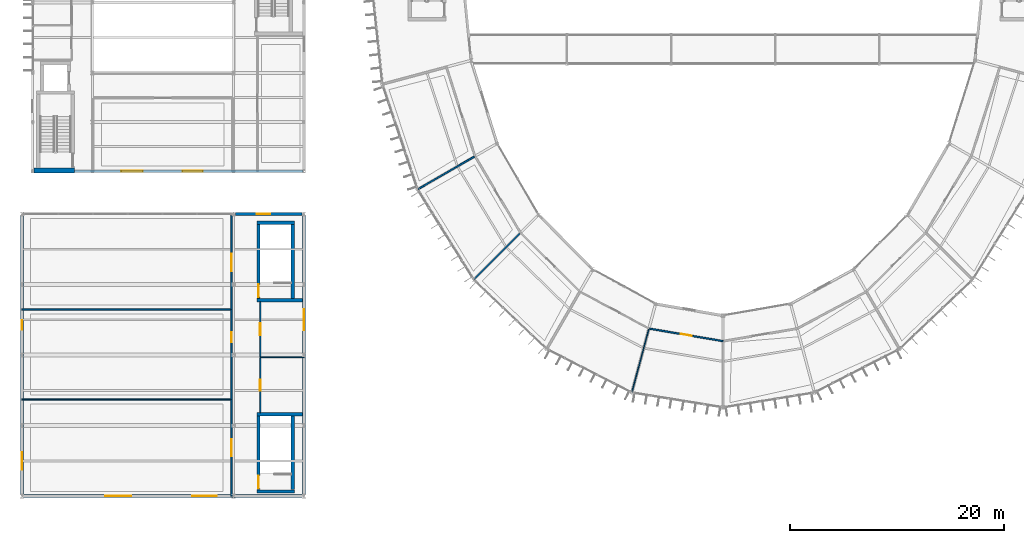
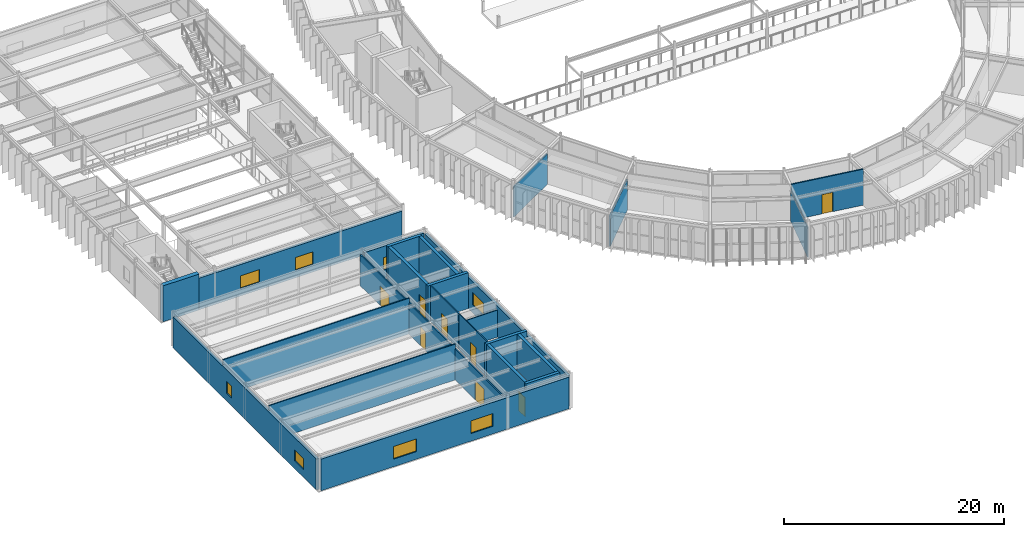
# One storey, part 122 of 147: 26 walls, 8 doors, 8 windows, 16 openings.
"""IFC4 building model written with IfcOpenShell, lengths in metres."""

from ifc_helpers import new_model, si_unit, direction, frame, frame_2d, origin, place, context, subcontext, project, spatial, rectangle, extrude, material, layer, layer_set, type_object, element, fill, save


model = new_model("IFC4")

# Units and contexts
model_context = context("Model", 3, precision=1e-05, world=origin(), true_north=direction((0.0, 1.0)))
body_context = subcontext(model_context, "Body", "Model", "MODEL_VIEW")
ifc_project = project(units=[si_unit("LENGTHUNIT", "METRE"), si_unit("AREAUNIT", "SQUARE_METRE"), si_unit("VOLUMEUNIT", "CUBIC_METRE"), si_unit("PLANEANGLEUNIT", "RADIAN"), si_unit("MASSUNIT", "GRAM", prefix="KILO")], contexts=[model_context])

# Site, building, storey
site_placement = place(None, origin())
site = spatial("IfcSite", under=ifc_project, at=site_placement, CompositionType="ELEMENT")
building_placement = place(site_placement, origin())
building = spatial("IfcBuilding", under=site, at=building_placement, Name="Karori Crest Natural Sciences Institute", CompositionType="ELEMENT")
storey_placement = place(building_placement, frame((0.0, 0.0, 9.10009765625)))
storey = spatial("IfcBuildingStorey", under=building, at=storey_placement, Name="L02", CompositionType="ELEMENT", Elevation=9.10009765625)

# Walls
ifc_material_1 = material(Name="Concrete 50 MPa", Category="concrete")
ifc_layer_1 = layer(ifc_material_1, 0.449951171875, Name="Concrete 50 MPa")
ifc_layer_set_1 = layer_set([ifc_layer_1], Name="Concrete 50 MPa")
wall_type_1 = type_object("IfcWallType", Name="IWT-01-EL", PredefinedType="SHEAR", material=ifc_layer_set_1)
wall_1_placement = place(storey_placement, frame((1.927001953125, 31.27490234375, 0.0), z_axis=(0.0, 0.0, 1.0), x_axis=(1.0, 0.0, 0.0)))
element("IfcWall", 1, at=wall_1_placement, inside=storey, type_object=wall_type_1, Name="Shear wall IW-0237", PredefinedType="SHEAR", context=body_context, shape_type="SweptSolid", body=[
    extrude(rectangle(XDim=3.79296875, YDim=0.449951171875, at=frame_2d((1.896484375, 0.0))), origin(), (0.0, 0.0, 1.0), 4.0),
])
ifc_layer_2 = layer(ifc_material_1, 0.320068359375, Name="Concrete 50 MPa")
ifc_layer_set_2 = layer_set([ifc_layer_2], Name="Concrete 50 MPa")
wall_type_2 = type_object("IfcWallType", Name="IWT-03", PredefinedType="SHEAR", material=ifc_layer_set_2)
wall_2_placement = place(storey_placement, frame((22.780029296875, 1.239990234375, 0.0), z_axis=(0.0, 0.0, 1.0), x_axis=(1.0, 0.0, 0.0)))
element("IfcWall", 2, at=wall_2_placement, inside=storey, type_object=wall_type_2, Name="Shear wall IW-0285", PredefinedType="SHEAR", context=body_context, shape_type="SweptSolid", body=[
    extrude(rectangle(XDim=3.5400390625, YDim=0.320068359375, at=frame_2d((1.77001953125, 0.0))), origin(), (0.0, 0.0, 1.0), 4.0),
])
wall_3_placement = place(storey_placement, frame((22.780029296875, 8.4599609375, 0.0), z_axis=(0.0, 0.0, 1.0), x_axis=(1.0, 0.0, 0.0)))
element("IfcWall", 3, at=wall_3_placement, inside=storey, type_object=wall_type_2, Name="Shear wall IW-0286", PredefinedType="SHEAR", context=body_context, shape_type="SweptSolid", body=[
    extrude(rectangle(XDim=4.27490234375, YDim=0.320068359375, at=frame_2d((2.137451171875, 0.0))), origin(), (0.0, 0.0, 1.0), 4.0),
])

# Wall, opening, door
wall_4_placement = place(storey_placement, frame((22.93994140625, 1.402099609375, 0.0), z_axis=(0.0, 0.0, 1.0), x_axis=(0.0, 1.0, 0.0)))
wall_4 = element("IfcWall", 4, at=wall_4_placement, inside=storey, type_object=wall_type_2, Name="Shear wall IW-0287", PredefinedType="SHEAR", context=body_context, shape_type="SweptSolid", body=[
    extrude(rectangle(XDim=6.89599609375, YDim=0.320068359375, at=frame_2d((3.447998046875, 0.0))), origin(), (0.0, 0.0, 1.0), 4.0),
])
opening_1_placement = place(wall_4_placement, frame((0.1201171875, 0.0, 0.0)))
opening_1 = element("IfcOpeningElement", 5, at=opening_1_placement, cuts=wall_4, Name="Opening ID-0072", PredefinedType="OPENING", context=body_context, shape_type="SweptSolid", body=[
    extrude(rectangle(XDim=1.199951171875, YDim=2.14990234375, at=frame_2d((0.60009765625, 1.074951171875))), frame((0.0, 0.169921875, 0.0), z_axis=(0.0, -1.0, 0.0), x_axis=(1.0, 0.0, 0.0)), (0.0, 0.0, 1.0), 0.340087890625),
])
ifc_material_2 = material(Name="Stainless steel 316 and fire-rated timber", Category="steel")
door_type_1 = type_object("IfcDoorType", Name="IDT-01", OperationType="NOTDEFINED", PredefinedType="DOOR", material=ifc_material_2)
door_1_placement = place(opening_1_placement, origin())
door_1 = element("IfcDoor", 6, at=door_1_placement, inside=storey, type_object=door_type_1, Name="Stair ST-09 fire door ID-0072", OperationType="SINGLE_SWING_RIGHT", OverallHeight=2.14990234375, OverallWidth=1.199951171875, PredefinedType="DOOR", context=body_context, shape_type="SweptSolid", body=[
    extrude(rectangle(XDim=1.199951171875, YDim=2.14990234375, at=frame_2d((0.60009765625, 1.074951171875))), frame((0.0, 0.02490234375, 0.0), z_axis=(0.0, -1.0, 0.0), x_axis=(1.0, 0.0, 0.0)), (0.0, 0.0, 1.0), 0.050048828125),
])
fill(opening_1, door_1)

# Walls
wall_5_placement = place(storey_placement, frame((26.159912109375, 1.402099609375, 0.0), z_axis=(0.0, 0.0, 1.0), x_axis=(0.0, 1.0, 0.0)))
element("IfcWall", 7, at=wall_5_placement, inside=storey, type_object=wall_type_2, Name="Shear wall IW-0288", PredefinedType="SHEAR", context=body_context, shape_type="SweptSolid", body=[
    extrude(rectangle(XDim=6.89599609375, YDim=0.320068359375, at=frame_2d((3.447998046875, 0.0))), origin(), (0.0, 0.0, 1.0), 4.0),
])
wall_6_placement = place(storey_placement, frame((22.780029296875, 19.139892578125, 0.0), z_axis=(0.0, 0.0, 1.0), x_axis=(1.0, 0.0, 0.0)))
element("IfcWall", 8, at=wall_6_placement, inside=storey, type_object=wall_type_2, Name="Shear wall IW-0301", PredefinedType="SHEAR", context=body_context, shape_type="SweptSolid", body=[
    extrude(rectangle(XDim=4.27490234375, YDim=0.320068359375, at=frame_2d((2.137451171875, 0.0))), origin(), (0.0, 0.0, 1.0), 4.0),
])
wall_7_placement = place(storey_placement, frame((22.780029296875, 26.360107421875, 0.0), z_axis=(0.0, 0.0, 1.0), x_axis=(1.0, 0.0, 0.0)))
element("IfcWall", 9, at=wall_7_placement, inside=storey, type_object=wall_type_2, Name="Shear wall IW-0302", PredefinedType="SHEAR", context=body_context, shape_type="SweptSolid", body=[
    extrude(rectangle(XDim=3.5400390625, YDim=0.320068359375, at=frame_2d((1.77001953125, 0.0))), origin(), (0.0, 0.0, 1.0), 4.0),
])

# Wall, opening, door
wall_8_placement = place(storey_placement, frame((22.93994140625, 19.302001953125, 0.0), z_axis=(0.0, 0.0, 1.0), x_axis=(0.0, 1.0, 0.0)))
wall_8 = element("IfcWall", 10, at=wall_8_placement, inside=storey, type_object=wall_type_2, Name="Shear wall IW-0303", PredefinedType="SHEAR", context=body_context, shape_type="SweptSolid", body=[
    extrude(rectangle(XDim=6.89599609375, YDim=0.320068359375, at=frame_2d((3.447998046875, 0.0))), origin(), (0.0, 0.0, 1.0), 4.0),
])
opening_2_placement = place(wall_8_placement, frame((0.1201171875, 0.0, 0.0)))
opening_2 = element("IfcOpeningElement", 11, at=opening_2_placement, cuts=wall_8, Name="Opening ID-0076", PredefinedType="OPENING", context=body_context, shape_type="SweptSolid", body=[
    extrude(rectangle(XDim=1.199951171875, YDim=2.14990234375, at=frame_2d((0.60009765625, 1.074951171875))), frame((0.0, 0.169921875, 0.0), z_axis=(0.0, -1.0, 0.0), x_axis=(1.0, 0.0, 0.0)), (0.0, 0.0, 1.0), 0.340087890625),
])
door_2_placement = place(opening_2_placement, origin())
door_2 = element("IfcDoor", 12, at=door_2_placement, inside=storey, type_object=door_type_1, Name="Stair ST-10 fire door ID-0076", OperationType="SINGLE_SWING_RIGHT", OverallHeight=2.14990234375, OverallWidth=1.199951171875, PredefinedType="DOOR", context=body_context, shape_type="SweptSolid", body=[
    extrude(rectangle(XDim=1.199951171875, YDim=2.14990234375, at=frame_2d((0.60009765625, 1.074951171875))), frame((0.0, 0.02490234375, 0.0), z_axis=(0.0, -1.0, 0.0), x_axis=(1.0, 0.0, 0.0)), (0.0, 0.0, 1.0), 0.050048828125),
])
fill(opening_2, door_2)

# Walls
wall_9_placement = place(storey_placement, frame((26.159912109375, 19.302001953125, 0.0), z_axis=(0.0, 0.0, 1.0), x_axis=(0.0, 1.0, 0.0)))
element("IfcWall", 13, at=wall_9_placement, inside=storey, type_object=wall_type_2, Name="Shear wall IW-0304", PredefinedType="SHEAR", context=body_context, shape_type="SweptSolid", body=[
    extrude(rectangle(XDim=6.89599609375, YDim=0.320068359375, at=frame_2d((3.447998046875, 0.0))), origin(), (0.0, 0.0, 1.0), 4.0),
])
ifc_material_3 = material(Name="Laboratory acoustic drywall partition")
ifc_layer_3 = layer(ifc_material_3, 0.139892578125, Name="Laboratory acoustic drywall partition")
ifc_layer_set_3 = layer_set([ifc_layer_3], Name="Laboratory acoustic drywall partition")
wall_type_3 = type_object("IfcWallType", Name="IWT-07", PredefinedType="PARTITIONING", material=ifc_layer_set_3)
wall_10_placement = place(storey_placement, frame((43.12109375, 32.56005859375, 0.0), z_axis=(0.0, 0.0, 1.0), x_axis=(-0.866010470582, -0.500025864173, 0.0)))
element("IfcWall", 14, at=wall_10_placement, inside=storey, type_object=wall_type_3, Name="Partition wall IW-1271", PredefinedType="PARTITIONING", context=body_context, shape_type="SweptSolid", body=[
    extrude(rectangle(XDim=6.059814453125, YDim=0.139892578125, at=frame_2d((3.02978515625, 0.0))), origin(), (0.0, 0.0, 1.0), 3.391845703125),
])
wall_11_placement = place(storey_placement, frame((47.392822265625, 25.37744140625, 0.0), z_axis=(0.0, 0.0, 1.0), x_axis=(-0.707086637129, -0.70712692467, 0.0)))
element("IfcWall", 15, at=wall_11_placement, inside=storey, type_object=wall_type_3, Name="Partition wall IW-1273", PredefinedType="PARTITIONING", context=body_context, shape_type="SweptSolid", body=[
    extrude(rectangle(XDim=6.06005859375, YDim=0.139892578125, at=frame_2d((3.030029296875, 0.0))), origin(), (0.0, 0.0, 1.0), 3.391845703125),
])

# Wall, opening, door
wall_12_placement = place(storey_placement, frame((59.51513671875, 16.47021484375, 0.0), z_axis=(0.0, 0.0, 1.0), x_axis=(0.985861622289, -0.167561516157, 0.0)))
wall_12 = element("IfcWall", 16, at=wall_12_placement, inside=storey, type_object=wall_type_3, Name="Partition wall IW-1278", PredefinedType="PARTITIONING", context=body_context, shape_type="SweptSolid", body=[
    extrude(rectangle(XDim=6.9833984375, YDim=0.139892578125, at=frame_2d((3.49169921875, 0.0))), origin(), (0.0, 0.0, 1.0), 4.0),
])
opening_3_placement = place(wall_12_placement, frame((2.966796875, 0.0, 0.0)))
opening_3 = element("IfcOpeningElement", 17, at=opening_3_placement, cuts=wall_12, Name="Opening ID-0395", PredefinedType="OPENING", context=body_context, shape_type="SweptSolid", body=[
    extrude(rectangle(XDim=1.050048828125, YDim=2.14990234375, at=frame_2d((0.52490234375, 1.074951171875))), frame((0.0, 0.080078125, 0.0), z_axis=(0.0, -1.0, 0.0), x_axis=(1.0, 0.0, 0.0)), (0.0, 0.0, 1.0), 0.159912109375),
])
door_type_2 = type_object("IfcDoorType", Name="IDT-03", OperationType="NOTDEFINED", PredefinedType="DOOR", material=ifc_material_2)
door_3_placement = place(opening_3_placement, origin())
door_3 = element("IfcDoor", 18, at=door_3_placement, inside=storey, type_object=door_type_2, Name="Dry Optics Physics Laboratory door ID-0395", OperationType="SINGLE_SWING_RIGHT", OverallHeight=2.14990234375, OverallWidth=1.050048828125, PredefinedType="DOOR", context=body_context, shape_type="SweptSolid", body=[
    extrude(rectangle(XDim=1.050048828125, YDim=2.14990234375, at=frame_2d((0.52490234375, 1.074951171875))), frame((0.0, 0.02490234375, 0.0), z_axis=(0.0, -1.0, 0.0), x_axis=(1.0, 0.0, 0.0)), (0.0, 0.0, 1.0), 0.050048828125),
])
fill(opening_3, door_3)

# Wall
ifc_material_4 = material(Name="Write-up office acoustic partition")
ifc_layer_4 = layer(ifc_material_4, 0.1201171875, Name="Write-up office acoustic partition")
ifc_layer_set_4 = layer_set([ifc_layer_4], Name="Write-up office acoustic partition")
wall_type_4 = type_object("IfcWallType", Name="IWT-08", PredefinedType="PARTITIONING", material=ifc_layer_set_4)
wall_13_placement = place(storey_placement, frame((0.800048828125, 9.85009765625, 0.0), z_axis=(0.0, 0.0, 1.0), x_axis=(1.0, 0.0, 0.0)))
element("IfcWall", 19, at=wall_13_placement, inside=storey, type_object=wall_type_4, Name="Partition wall IW-1066", PredefinedType="PARTITIONING", context=body_context, shape_type="SweptSolid", body=[
    extrude(rectangle(XDim=19.599853515625, YDim=0.1201171875, at=frame_2d((9.7998046875, 0.0))), origin(), (0.0, 0.0, 1.0), 3.97998046875),
])

# Wall, opening, door
wall_14_placement = place(storey_placement, frame((20.39990234375, 0.800048828125, 0.0), z_axis=(0.0, 0.0, 1.0), x_axis=(0.0, 1.0, 0.0)))
wall_14 = element("IfcWall", 20, at=wall_14_placement, inside=storey, type_object=wall_type_4, Name="Partition wall IW-1067", PredefinedType="PARTITIONING", context=body_context, shape_type="SweptSolid", body=[
    extrude(rectangle(XDim=9.050048828125, YDim=0.1201171875, at=frame_2d((4.52490234375, 0.0))), origin(), (0.0, 0.0, 1.0), 3.44482421875),
])
opening_4_placement = place(wall_14_placement, frame((3.72509765625, 0.0, 0.0)))
opening_4 = element("IfcOpeningElement", 21, at=opening_4_placement, cuts=wall_14, Name="Opening ID-0303", PredefinedType="OPENING", context=body_context, shape_type="SweptSolid", body=[
    extrude(rectangle(XDim=1.60009765625, YDim=2.179931640625, at=frame_2d((0.800048828125, 1.08984375))), frame((0.0, 0.070068359375, 0.0), z_axis=(0.0, -1.0, 0.0), x_axis=(1.0, 0.0, 0.0)), (0.0, 0.0, 1.0), 0.14013671875),
])
ifc_material_5 = material(Name="Anodised aluminium and acoustic timber", Category="wood")
door_type_3 = type_object("IfcDoorType", Name="IDT-13", OperationType="DOUBLE_DOOR_SINGLE_SWING", PredefinedType="DOOR", material=ifc_material_5)
door_4_placement = place(opening_4_placement, origin())
door_4 = element("IfcDoor", 22, at=door_4_placement, inside=storey, type_object=door_type_3, Name="Symposium Seminar Room South door ID-0303", OperationType="DOUBLE_DOOR_SINGLE_SWING", OverallHeight=2.179931640625, OverallWidth=1.60009765625, PredefinedType="DOOR", context=body_context, shape_type="SweptSolid", body=[
    extrude(rectangle(XDim=1.60009765625, YDim=2.179931640625, at=frame_2d((0.800048828125, 1.08984375))), frame((0.0, 0.02490234375, 0.0), z_axis=(0.0, -1.0, 0.0), x_axis=(1.0, 0.0, 0.0)), (0.0, 0.0, 1.0), 0.050048828125),
])
fill(opening_4, door_4)

# Wall
wall_15_placement = place(storey_placement, frame((0.800048828125, 18.25, 0.0), z_axis=(0.0, 0.0, 1.0), x_axis=(1.0, 0.0, 0.0)))
element("IfcWall", 23, at=wall_15_placement, inside=storey, type_object=wall_type_4, Name="Partition wall IW-1068", PredefinedType="PARTITIONING", context=body_context, shape_type="SweptSolid", body=[
    extrude(rectangle(XDim=19.599853515625, YDim=0.1201171875, at=frame_2d((9.7998046875, 0.0))), origin(), (0.0, 0.0, 1.0), 3.97998046875),
])

# Wall, opening, door
wall_16_placement = place(storey_placement, frame((20.39990234375, 9.85205078125, 0.0), z_axis=(0.0, 0.0, 1.0), x_axis=(0.0, 1.0, 0.0)))
wall_16 = element("IfcWall", 24, at=wall_16_placement, inside=storey, type_object=wall_type_4, Name="Partition wall IW-1069", PredefinedType="PARTITIONING", context=body_context, shape_type="SweptSolid", body=[
    extrude(rectangle(XDim=8.39794921875, YDim=0.1201171875, at=frame_2d((4.198974609375, 0.0))), origin(), (0.0, 0.0, 1.0), 3.44482421875),
])
opening_5_placement = place(wall_16_placement, frame((5.323974609375, 0.0, 0.0)))
opening_5 = element("IfcOpeningElement", 25, at=opening_5_placement, cuts=wall_16, Name="Opening ID-0304", PredefinedType="OPENING", context=body_context, shape_type="SweptSolid", body=[
    extrude(rectangle(XDim=0.949951171875, YDim=2.10009765625, at=frame_2d((0.47509765625, 1.050048828125))), frame((0.0, 0.070068359375, 0.0), z_axis=(0.0, -1.0, 0.0), x_axis=(1.0, 0.0, 0.0)), (0.0, 0.0, 1.0), 0.14013671875),
])
door_type_4 = type_object("IfcDoorType", Name="IDT-08", OperationType="NOTDEFINED", PredefinedType="DOOR", material=ifc_material_5)
door_5_placement = place(opening_5_placement, origin())
door_5 = element("IfcDoor", 26, at=door_5_placement, inside=storey, type_object=door_type_4, Name="Interpretation Studio door ID-0304", OperationType="SINGLE_SWING_RIGHT", OverallHeight=2.10009765625, OverallWidth=0.949951171875, PredefinedType="DOOR", context=body_context, shape_type="SweptSolid", body=[
    extrude(rectangle(XDim=0.949951171875, YDim=2.10009765625, at=frame_2d((0.47509765625, 1.050048828125))), frame((0.0, 0.02490234375, 0.0), z_axis=(0.0, -1.0, 0.0), x_axis=(1.0, 0.0, 0.0)), (0.0, 0.0, 1.0), 0.050048828125),
])
fill(opening_5, door_5)

wall_17_placement = place(storey_placement, frame((20.39990234375, 18.251953125, 0.0), z_axis=(0.0, 0.0, 1.0), x_axis=(0.0, 1.0, 0.0)))
wall_17 = element("IfcWall", 27, at=wall_17_placement, inside=storey, type_object=wall_type_4, Name="Partition wall IW-1070", PredefinedType="PARTITIONING", context=body_context, shape_type="SweptSolid", body=[
    extrude(rectangle(XDim=8.80615234375, YDim=0.1201171875, at=frame_2d((4.403076171875, 0.0))), origin(), (0.0, 0.0, 1.0), 3.44482421875),
])
opening_6_placement = place(wall_17_placement, frame((3.60302734375, 0.0, 0.0)))
opening_6 = element("IfcOpeningElement", 28, at=opening_6_placement, cuts=wall_17, Name="Opening ID-0305", PredefinedType="OPENING", context=body_context, shape_type="SweptSolid", body=[
    extrude(rectangle(XDim=1.60009765625, YDim=2.179931640625, at=frame_2d((0.800048828125, 1.08984375))), frame((0.0, 0.070068359375, 0.0), z_axis=(0.0, -1.0, 0.0), x_axis=(1.0, 0.0, 0.0)), (0.0, 0.0, 1.0), 0.14013671875),
])
door_6_placement = place(opening_6_placement, origin())
door_6 = element("IfcDoor", 29, at=door_6_placement, inside=storey, type_object=door_type_3, Name="Symposium Seminar Room North door ID-0305", OperationType="DOUBLE_DOOR_SINGLE_SWING", OverallHeight=2.179931640625, OverallWidth=1.60009765625, PredefinedType="DOOR", context=body_context, shape_type="SweptSolid", body=[
    extrude(rectangle(XDim=1.60009765625, YDim=2.179931640625, at=frame_2d((0.800048828125, 1.08984375))), frame((0.0, 0.02490234375, 0.0), z_axis=(0.0, -1.0, 0.0), x_axis=(1.0, 0.0, 0.0)), (0.0, 0.0, 1.0), 0.050048828125),
])
fill(opening_6, door_6)

wall_18_placement = place(storey_placement, frame((23.10009765625, 13.85205078125, 0.0), z_axis=(0.0, 0.0, 1.0), x_axis=(0.0, 1.0, 0.0)))
wall_18 = element("IfcWall", 30, at=wall_18_placement, inside=storey, type_object=wall_type_4, Name="Partition wall IW-1073", PredefinedType="PARTITIONING", context=body_context, shape_type="SweptSolid", body=[
    extrude(rectangle(XDim=5.1279296875, YDim=0.1201171875, at=frame_2d((2.56396484375, 0.0))), origin(), (0.0, 0.0, 1.0), 3.97998046875),
])
opening_7_placement = place(wall_18_placement, frame((2.02392578125, 0.0, 0.0)))
opening_7 = element("IfcOpeningElement", 31, at=opening_7_placement, cuts=wall_18, Name="Opening ID-0307", PredefinedType="OPENING", context=body_context, shape_type="SweptSolid", body=[
    extrude(rectangle(XDim=1.080078125, YDim=2.1201171875, at=frame_2d((0.5400390625, 1.06005859375))), frame((0.0, 0.070068359375, 0.0), z_axis=(0.0, -1.0, 0.0), x_axis=(1.0, 0.0, 0.0)), (0.0, 0.0, 1.0), 0.14013671875),
])
door_type_5 = type_object("IfcDoorType", Name="IDT-12", OperationType="NOTDEFINED", PredefinedType="DOOR", material=ifc_material_5)
door_7_placement = place(opening_7_placement, origin())
door_7 = element("IfcDoor", 32, at=door_7_placement, inside=storey, type_object=door_type_5, Name="Symposium Preparation Room door ID-0307", OperationType="SINGLE_SWING_RIGHT", OverallHeight=2.1201171875, OverallWidth=1.080078125, PredefinedType="DOOR", context=body_context, shape_type="SweptSolid", body=[
    extrude(rectangle(XDim=1.080078125, YDim=2.1201171875, at=frame_2d((0.5400390625, 1.06005859375))), frame((0.0, 0.02490234375, 0.0), z_axis=(0.0, -1.0, 0.0), x_axis=(1.0, 0.0, 0.0)), (0.0, 0.0, 1.0), 0.050048828125),
])
fill(opening_7, door_7)

# Wall
ifc_material_6 = material(Name="Washroom moisture-resistant partition")
ifc_layer_5 = layer(ifc_material_6, 0.10009765625, Name="Washroom moisture-resistant partition")
ifc_layer_set_5 = layer_set([ifc_layer_5], Name="Washroom moisture-resistant partition")
wall_type_5 = type_object("IfcWallType", Name="IWT-09", PredefinedType="PARTITIONING", material=ifc_layer_set_5)
wall_19_placement = place(storey_placement, frame((23.10205078125, 13.800048828125, 0.0), z_axis=(0.0, 0.0, 1.0), x_axis=(1.0, 0.0, 0.0)))
element("IfcWall", 33, at=wall_19_placement, inside=storey, type_object=wall_type_5, Name="Partition wall IW-1071", PredefinedType="PARTITIONING", context=body_context, shape_type="SweptSolid", body=[
    extrude(rectangle(XDim=4.097900390625, YDim=0.10009765625, at=frame_2d((2.048828125, 0.0))), origin(), (0.0, 0.0, 1.0), 2.996826171875),
])

# Wall, opening, door
wall_20_placement = place(storey_placement, frame((23.10009765625, 8.6201171875, 0.0), z_axis=(0.0, 0.0, 1.0), x_axis=(0.0, 1.0, 0.0)))
wall_20 = element("IfcWall", 34, at=wall_20_placement, inside=storey, type_object=wall_type_5, Name="Partition wall IW-1072", PredefinedType="PARTITIONING", context=body_context, shape_type="SweptSolid", body=[
    extrude(rectangle(XDim=5.1279296875, YDim=0.10009765625, at=frame_2d((2.56396484375, 0.0))), origin(), (0.0, 0.0, 1.0), 3.97998046875),
])
opening_8_placement = place(wall_20_placement, frame((2.06396484375, 0.0, 0.0)))
opening_8 = element("IfcOpeningElement", 35, at=opening_8_placement, cuts=wall_20, Name="Opening ID-0306", PredefinedType="OPENING", context=body_context, shape_type="SweptSolid", body=[
    extrude(rectangle(XDim=1.0, YDim=2.10009765625, at=frame_2d((0.5, 1.050048828125))), frame((0.0, 0.06005859375, 0.0), z_axis=(0.0, -1.0, 0.0), x_axis=(1.0, 0.0, 0.0)), (0.0, 0.0, 1.0), 0.1201171875),
])
door_type_6 = type_object("IfcDoorType", Name="IDT-09", OperationType="NOTDEFINED", PredefinedType="DOOR", material=ifc_material_5)
door_8_placement = place(opening_8_placement, origin())
door_8 = element("IfcDoor", 36, at=door_8_placement, inside=storey, type_object=door_type_6, Name="Accessible WC door ID-0306", OperationType="SINGLE_SWING_LEFT", OverallHeight=2.10009765625, OverallWidth=1.0, PredefinedType="DOOR", context=body_context, shape_type="SweptSolid", body=[
    extrude(rectangle(XDim=1.0, YDim=2.10009765625, at=frame_2d((0.5, 1.050048828125))), frame((0.0, 0.02490234375, 0.0), z_axis=(0.0, -1.0, 0.0), x_axis=(1.0, 0.0, 0.0)), (0.0, 0.0, 1.0), 0.050048828125),
])
fill(opening_8, door_8)

# Wall
wall_21_placement = place(storey_placement, frame((59.44287109375, 16.401611328125, 0.0), z_axis=(0.0, 0.0, 1.0), x_axis=(-0.258805895167, -0.965929349708, 0.0)))
element("IfcWall", 37, at=wall_21_placement, inside=storey, type_object=wall_type_5, Name="Partition wall IW-1277", PredefinedType="PARTITIONING", context=body_context, shape_type="SweptSolid", body=[
    extrude(rectangle(XDim=6.06005859375, YDim=0.10009765625, at=frame_2d((3.030029296875, 0.0))), origin(), (0.0, 0.0, 1.0), 3.322998046875),
])

# Wall, openings, windows
ifc_material_7 = material(Name="Precast concrete 40 MPa", Category="concrete")
ifc_layer_6 = layer(ifc_material_7, 0.280029296875, Name="Precast concrete 40 MPa")
ifc_layer_set_6 = layer_set([ifc_layer_6], Name="Precast concrete 40 MPa")
wall_type_6 = type_object("IfcWallType", Name="WT-02", PredefinedType="SOLIDWALL", material=ifc_layer_set_6)
wall_22_placement = place(storey_placement, frame((0.800048828125, 0.972900390625, 0.0), z_axis=(0.0, 0.0, 1.0), x_axis=(0.0, 1.0, 0.0)))
wall_22 = element("IfcWall", 38, at=wall_22_placement, inside=storey, type_object=wall_type_6, Name="Exterior wall EW-0125", PredefinedType="SOLIDWALL", context=body_context, shape_type="SweptSolid", body=[
    extrude(rectangle(XDim=26.05419921875, YDim=0.280029296875, at=frame_2d((13.027099609375, 0.0))), origin(), (0.0, 0.0, 1.0), 3.44482421875),
])
opening_9_placement = place(wall_22_placement, frame((2.300048828125, 0.0, 0.85009765625)))
opening_9 = element("IfcOpeningElement", 39, at=opening_9_placement, cuts=wall_22, Name="Opening WN-0066", PredefinedType="OPENING", context=body_context, shape_type="SweptSolid", body=[
    extrude(rectangle(XDim=1.64990234375, YDim=1.25, at=frame_2d((0.824951171875, 0.625))), frame((0.0, 0.14990234375, 0.0), z_axis=(0.0, -1.0, 0.0), x_axis=(1.0, 0.0, 0.0)), (0.0, 0.0, 1.0), 0.300048828125),
])
opening_10_placement = place(wall_22_placement, frame((15.39990234375, 0.0, 0.85009765625)))
opening_10 = element("IfcOpeningElement", 40, at=opening_10_placement, cuts=wall_22, Name="Opening WN-0067", PredefinedType="OPENING", context=body_context, shape_type="SweptSolid", body=[
    extrude(rectangle(XDim=0.89990234375, YDim=1.35009765625, at=frame_2d((0.449951171875, 0.675048828125))), frame((0.0, 0.14990234375, 0.0), z_axis=(0.0, -1.0, 0.0), x_axis=(1.0, 0.0, 0.0)), (0.0, 0.0, 1.0), 0.300048828125),
])
ifc_material_8 = material(Name="Double low-E laminated glass", Category="glass")
window_type_1 = type_object("IfcWindowType", Name="WNT-13", PartitioningType="SINGLE_PANEL", PredefinedType="WINDOW", material=ifc_material_8)
window_1_placement = place(opening_9_placement, origin())
window_1 = element("IfcWindow", 41, at=window_1_placement, inside=storey, type_object=window_type_1, Name="Window WN-0066", OverallHeight=1.25, OverallWidth=1.64990234375, PartitioningType="SINGLE_PANEL", PredefinedType="WINDOW", context=body_context, shape_type="SweptSolid", body=[
    extrude(rectangle(XDim=1.64990234375, YDim=1.25, at=frame_2d((0.824951171875, 0.625))), frame((0.0, 0.030029296875, 0.0), z_axis=(0.0, -1.0, 0.0), x_axis=(1.0, 0.0, 0.0)), (0.0, 0.0, 1.0), 0.06005859375),
])
fill(opening_9, window_1)
window_type_2 = type_object("IfcWindowType", Name="WNT-17", PartitioningType="SINGLE_PANEL", PredefinedType="WINDOW", material=ifc_material_8)
window_2_placement = place(opening_10_placement, origin())
window_2 = element("IfcWindow", 42, at=window_2_placement, inside=storey, type_object=window_type_2, Name="Window WN-0067", OverallHeight=1.35009765625, OverallWidth=0.89990234375, PartitioningType="SINGLE_PANEL", PredefinedType="WINDOW", context=body_context, shape_type="SweptSolid", body=[
    extrude(rectangle(XDim=0.89990234375, YDim=1.35009765625, at=frame_2d((0.449951171875, 0.675048828125))), frame((0.0, 0.030029296875, 0.0), z_axis=(0.0, -1.0, 0.0), x_axis=(1.0, 0.0, 0.0)), (0.0, 0.0, 1.0), 0.06005859375),
])
fill(opening_10, window_2)

# Wall, opening, window
wall_23_placement = place(storey_placement, frame((20.77294921875, 27.199951171875, 0.0), z_axis=(0.0, 0.0, 1.0), x_axis=(1.0, 0.0, 0.0)))
wall_23 = element("IfcWall", 43, at=wall_23_placement, inside=storey, type_object=wall_type_6, Name="Exterior wall EW-0126", PredefinedType="SOLIDWALL", context=body_context, shape_type="SweptSolid", body=[
    extrude(rectangle(XDim=6.254150390625, YDim=0.280029296875, at=frame_2d((3.126953125, 0.0))), origin(), (0.0, 0.0, 1.0), 3.5048828125),
])
opening_11_placement = place(wall_23_placement, frame((2.0, 0.0, 0.85009765625)))
opening_11 = element("IfcOpeningElement", 44, at=opening_11_placement, cuts=wall_23, Name="Opening WN-0068", PredefinedType="OPENING", context=body_context, shape_type="SweptSolid", body=[
    extrude(rectangle(XDim=1.25, YDim=1.39990234375, at=frame_2d((0.625, 0.699951171875))), frame((0.0, 0.14990234375, 0.0), z_axis=(0.0, -1.0, 0.0), x_axis=(1.0, 0.0, 0.0)), (0.0, 0.0, 1.0), 0.300048828125),
])
window_type_3 = type_object("IfcWindowType", Name="WNT-02", PartitioningType="SINGLE_PANEL", PredefinedType="WINDOW", material=ifc_material_8)
window_3_placement = place(opening_11_placement, origin())
window_3 = element("IfcWindow", 45, at=window_3_placement, inside=storey, type_object=window_type_3, Name="Window WN-0068", OverallHeight=1.39990234375, OverallWidth=1.25, PartitioningType="SINGLE_PANEL", PredefinedType="WINDOW", context=body_context, shape_type="SweptSolid", body=[
    extrude(rectangle(XDim=1.25, YDim=1.39990234375, at=frame_2d((0.625, 0.699951171875))), frame((0.0, 0.030029296875, 0.0), z_axis=(0.0, -1.0, 0.0), x_axis=(1.0, 0.0, 0.0)), (0.0, 0.0, 1.0), 0.06005859375),
])
fill(opening_11, window_3)

wall_24_placement = place(storey_placement, frame((27.199951171875, 27.027099609375, 0.0), z_axis=(0.0, 0.0, 1.0), x_axis=(0.0, -1.0, 0.0)))
wall_24 = element("IfcWall", 46, at=wall_24_placement, inside=storey, type_object=wall_type_6, Name="Exterior wall EW-0127", PredefinedType="SOLIDWALL", context=body_context, shape_type="SweptSolid", body=[
    extrude(rectangle(XDim=26.05419921875, YDim=0.280029296875, at=frame_2d((13.027099609375, 0.0))), origin(), (0.0, 0.0, 1.0), 3.44482421875),
])
opening_12_placement = place(wall_24_placement, frame((8.72705078125, 0.0, 0.85009765625)))
opening_12 = element("IfcOpeningElement", 47, at=opening_12_placement, cuts=wall_24, Name="Opening WN-0069", PredefinedType="OPENING", context=body_context, shape_type="SweptSolid", body=[
    extrude(rectangle(XDim=2.0, YDim=1.39990234375, at=frame_2d((1.0, 0.699951171875))), frame((0.0, 0.14990234375, 0.0), z_axis=(0.0, -1.0, 0.0), x_axis=(1.0, 0.0, 0.0)), (0.0, 0.0, 1.0), 0.300048828125),
])
window_type_4 = type_object("IfcWindowType", Name="WNT-07", PartitioningType="SINGLE_PANEL", PredefinedType="WINDOW", material=ifc_material_8)
window_4_placement = place(opening_12_placement, origin())
window_4 = element("IfcWindow", 48, at=window_4_placement, inside=storey, type_object=window_type_4, Name="Window WN-0069", OverallHeight=1.39990234375, OverallWidth=2.0, PartitioningType="SINGLE_PANEL", PredefinedType="WINDOW", context=body_context, shape_type="SweptSolid", body=[
    extrude(rectangle(XDim=2.0, YDim=1.39990234375, at=frame_2d((1.0, 0.699951171875))), frame((0.0, 0.030029296875, 0.0), z_axis=(0.0, -1.0, 0.0), x_axis=(1.0, 0.0, 0.0)), (0.0, 0.0, 1.0), 0.06005859375),
])
fill(opening_12, window_4)

# Wall, openings, windows
wall_25_placement = place(storey_placement, frame((27.027099609375, 0.800048828125, 0.0), z_axis=(0.0, 0.0, 1.0), x_axis=(-1.0, 0.0, 0.0)))
wall_25 = element("IfcWall", 49, at=wall_25_placement, inside=storey, type_object=wall_type_6, Name="Exterior wall EW-0128", PredefinedType="SOLIDWALL", context=body_context, shape_type="SweptSolid", body=[
    extrude(rectangle(XDim=26.05419921875, YDim=0.280029296875, at=frame_2d((13.027099609375, 0.0))), origin(), (0.0, 0.0, 1.0), 3.5048828125),
])
opening_13_placement = place(wall_25_placement, frame((8.0, 0.0, 0.85009765625)))
opening_13 = element("IfcOpeningElement", 50, at=opening_13_placement, cuts=wall_25, Name="Opening WN-0070", PredefinedType="OPENING", context=body_context, shape_type="SweptSolid", body=[
    extrude(rectangle(XDim=2.300048828125, YDim=1.39990234375, at=frame_2d((1.14990234375, 0.699951171875))), frame((0.0, 0.14990234375, 0.0), z_axis=(0.0, -1.0, 0.0), x_axis=(1.0, 0.0, 0.0)), (0.0, 0.0, 1.0), 0.300048828125),
])
opening_14_placement = place(wall_25_placement, frame((16.0, 0.0, 0.85009765625)))
opening_14 = element("IfcOpeningElement", 51, at=opening_14_placement, cuts=wall_25, Name="Opening WN-0071", PredefinedType="OPENING", context=body_context, shape_type="SweptSolid", body=[
    extrude(rectangle(XDim=2.449951171875, YDim=1.39990234375, at=frame_2d((1.22509765625, 0.699951171875))), frame((0.0, 0.14990234375, 0.0), z_axis=(0.0, -1.0, 0.0), x_axis=(1.0, 0.0, 0.0)), (0.0, 0.0, 1.0), 0.300048828125),
])
window_type_5 = type_object("IfcWindowType", Name="WNT-09", PartitioningType="SINGLE_PANEL", PredefinedType="WINDOW", material=ifc_material_8)
window_5_placement = place(opening_13_placement, origin())
window_5 = element("IfcWindow", 52, at=window_5_placement, inside=storey, type_object=window_type_5, Name="Window WN-0070", OverallHeight=1.39990234375, OverallWidth=2.300048828125, PartitioningType="SINGLE_PANEL", PredefinedType="WINDOW", context=body_context, shape_type="SweptSolid", body=[
    extrude(rectangle(XDim=2.300048828125, YDim=1.39990234375, at=frame_2d((1.14990234375, 0.699951171875))), frame((0.0, 0.030029296875, 0.0), z_axis=(0.0, -1.0, 0.0), x_axis=(1.0, 0.0, 0.0)), (0.0, 0.0, 1.0), 0.06005859375),
])
fill(opening_13, window_5)
window_type_6 = type_object("IfcWindowType", Name="WNT-10", PartitioningType="SINGLE_PANEL", PredefinedType="WINDOW", material=ifc_material_8)
window_6_placement = place(opening_14_placement, origin())
window_6 = element("IfcWindow", 53, at=window_6_placement, inside=storey, type_object=window_type_6, Name="Window WN-0071", OverallHeight=1.39990234375, OverallWidth=2.449951171875, PartitioningType="SINGLE_PANEL", PredefinedType="WINDOW", context=body_context, shape_type="SweptSolid", body=[
    extrude(rectangle(XDim=2.449951171875, YDim=1.39990234375, at=frame_2d((1.22509765625, 0.699951171875))), frame((0.0, 0.030029296875, 0.0), z_axis=(0.0, -1.0, 0.0), x_axis=(1.0, 0.0, 0.0)), (0.0, 0.0, 1.0), 0.06005859375),
])
fill(opening_14, window_6)

ifc_layer_7 = layer(ifc_material_7, 0.239990234375, Name="Precast concrete 40 MPa")
ifc_layer_set_7 = layer_set([ifc_layer_7], Name="Precast concrete 40 MPa")
wall_type_7 = type_object("IfcWallType", Name="WT-04", PredefinedType="SOLIDWALL", material=ifc_layer_set_7)
wall_26_placement = place(storey_placement, frame((27.076904296875, 31.199951171875, 0.0), z_axis=(0.0, 0.0, 1.0), x_axis=(-1.0, 0.0, 0.0)))
wall_26 = element("IfcWall", 54, at=wall_26_placement, inside=storey, type_object=wall_type_7, Name="Exterior wall EW-0144", PredefinedType="SOLIDWALL", context=body_context, shape_type="SweptSolid", body=[
    extrude(rectangle(XDim=21.35498046875, YDim=0.239990234375, at=frame_2d((10.677490234375, 0.0))), origin(), (0.0, 0.0, 1.0), 3.5048828125),
])
opening_15_placement = place(wall_26_placement, frame((9.376953125, 0.0, 0.85009765625)))
opening_15 = element("IfcOpeningElement", 55, at=opening_15_placement, cuts=wall_26, Name="Opening WN-0084", PredefinedType="OPENING", context=body_context, shape_type="SweptSolid", body=[
    extrude(rectangle(XDim=1.85009765625, YDim=1.39990234375, at=frame_2d((0.925048828125, 0.699951171875))), frame((0.0, 0.1298828125, 0.0), z_axis=(0.0, -1.0, 0.0), x_axis=(1.0, 0.0, 0.0)), (0.0, 0.0, 1.0), 0.260009765625),
])
opening_16_placement = place(wall_26_placement, frame((14.97705078125, 0.0, 0.85009765625)))
opening_16 = element("IfcOpeningElement", 56, at=opening_16_placement, cuts=wall_26, Name="Opening WN-0085", PredefinedType="OPENING", context=body_context, shape_type="SweptSolid", body=[
    extrude(rectangle(XDim=2.0, YDim=1.39990234375, at=frame_2d((1.0, 0.699951171875))), frame((0.0, 0.1298828125, 0.0), z_axis=(0.0, -1.0, 0.0), x_axis=(1.0, 0.0, 0.0)), (0.0, 0.0, 1.0), 0.260009765625),
])
window_type_7 = type_object("IfcWindowType", Name="WNT-06", PartitioningType="SINGLE_PANEL", PredefinedType="WINDOW", material=ifc_material_8)
window_7_placement = place(opening_15_placement, origin())
window_7 = element("IfcWindow", 57, at=window_7_placement, inside=storey, type_object=window_type_7, Name="Window WN-0084", OverallHeight=1.39990234375, OverallWidth=1.85009765625, PartitioningType="SINGLE_PANEL", PredefinedType="WINDOW", context=body_context, shape_type="SweptSolid", body=[
    extrude(rectangle(XDim=1.85009765625, YDim=1.39990234375, at=frame_2d((0.925048828125, 0.699951171875))), frame((0.0, 0.030029296875, 0.0), z_axis=(0.0, -1.0, 0.0), x_axis=(1.0, 0.0, 0.0)), (0.0, 0.0, 1.0), 0.06005859375),
])
fill(opening_15, window_7)
window_8_placement = place(opening_16_placement, origin())
window_8 = element("IfcWindow", 58, at=window_8_placement, inside=storey, type_object=window_type_4, Name="Window WN-0085", OverallHeight=1.39990234375, OverallWidth=2.0, PartitioningType="SINGLE_PANEL", PredefinedType="WINDOW", context=body_context, shape_type="SweptSolid", body=[
    extrude(rectangle(XDim=2.0, YDim=1.39990234375, at=frame_2d((1.0, 0.699951171875))), frame((0.0, 0.030029296875, 0.0), z_axis=(0.0, -1.0, 0.0), x_axis=(1.0, 0.0, 0.0)), (0.0, 0.0, 1.0), 0.06005859375),
])
fill(opening_16, window_8)

save(model, "model.ifc")
